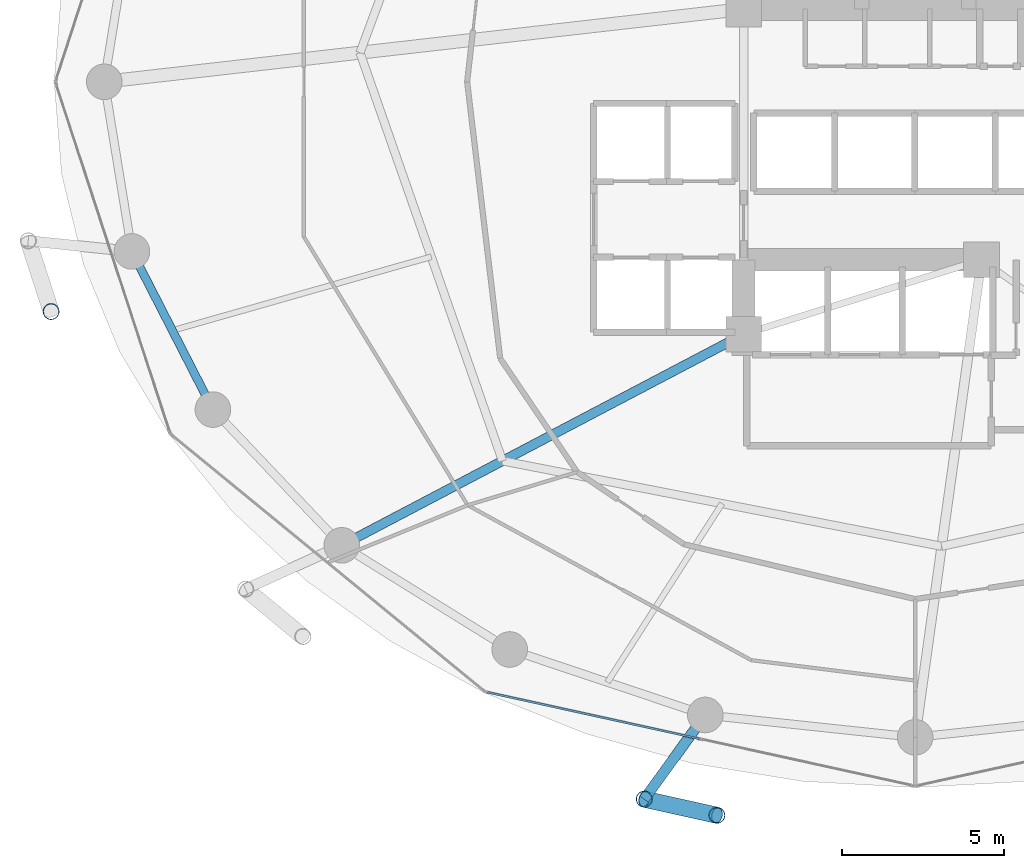
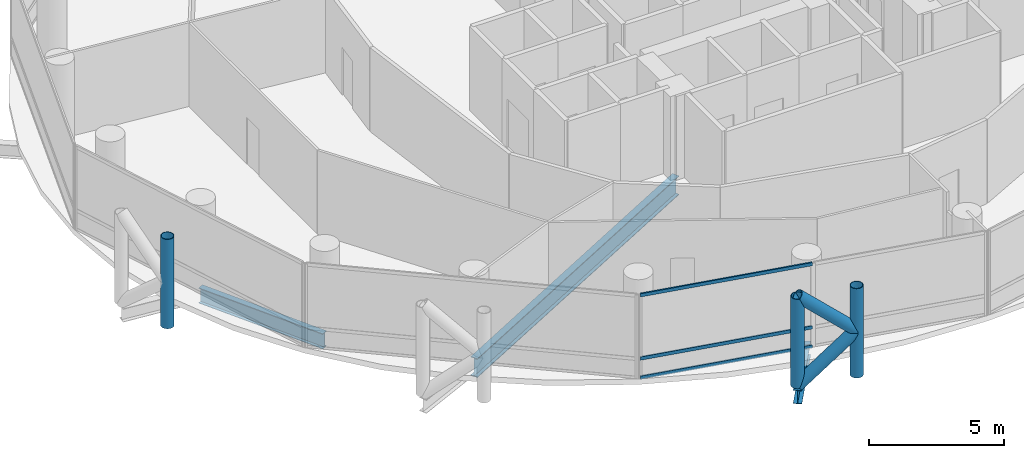
# One storey, part 3 of 25: 8 members, 3 beams, 1 element without a shape of its own.
"""IFC4 building model written with IfcOpenShell, lengths in metres."""

from ifc_helpers import new_model, si_unit, direction, frame, origin, origin_2d, place, context, subcontext, project, spatial, hollow_rectangle, hollow_circle, i_section, extrude, material, layer, layer_set, material_profile, profile_set, type_object, element, aggregate, save


model = new_model("IFC4")

# Units and contexts
model_context = context("Model", 3, precision=1e-05, world=origin(), true_north=direction((0.0, 1.0)))
body_context = subcontext(model_context, "Body", "Model", "MODEL_VIEW")
ifc_project = project(units=[si_unit("LENGTHUNIT", "METRE"), si_unit("AREAUNIT", "SQUARE_METRE"), si_unit("VOLUMEUNIT", "CUBIC_METRE"), si_unit("PLANEANGLEUNIT", "RADIAN"), si_unit("MASSUNIT", "GRAM", prefix="KILO")], contexts=[model_context])

# Site, building, storey
site_placement = place(None, origin())
site = spatial("IfcSite", under=ifc_project, at=site_placement, CompositionType="ELEMENT")
building_placement = place(site_placement, origin())
building = spatial("IfcBuilding", under=site, at=building_placement, Name="Nuhasar Tower", CompositionType="ELEMENT")
storey_placement = place(building_placement, frame((0.0, 0.0, 65.550048828125)))
storey = spatial("IfcBuildingStorey", under=building, at=storey_placement, Name="L15", CompositionType="ELEMENT", Elevation=65.550048828125)

# Beams
ifc_material_1 = material(Name="Steel S355", Category="steel")
ifc_material_profile_1 = material_profile(ifc_material_1, i_section(OverallWidth=0.2919921875, OverallDepth=0.85888671875, WebThickness=0.01708984375, FlangeThickness=0.031005859375, at=origin_2d()), Name="W33X169")
ifc_profile_set_1 = profile_set([ifc_material_profile_1], Name="Steel S355")
beam_type_1 = type_object("IfcBeamType", Name="BM-POD-W33X169", PredefinedType="BEAM", material=ifc_profile_set_1)
beam_1_placement = place(storey_placement, frame((33.699951171875, 19.0, -0.679931640625), z_axis=(-0.885330348705, -0.464962550816, 0.0), x_axis=(0.464962550816, -0.885330348705, 0.0)))
element("IfcBeam", 1, at=beam_1_placement, inside=storey, type_object=beam_type_1, Name="L15 Radial Floor Girder 01", PredefinedType="BEAM", context=body_context, shape_type="SweptSolid", body=[
    extrude(i_section(OverallWidth=0.2919921875, OverallDepth=0.85888671875, WebThickness=0.01708984375, FlangeThickness=0.031005859375, at=origin_2d()), origin(), (0.0, 0.0, 1.0), 14.0205078125),
])
ifc_material_profile_2 = material_profile(ifc_material_1, i_section(OverallWidth=0.256103515625, OverallDepth=0.693115234375, WebThickness=0.014404296875, FlangeThickness=0.023681640625, at=origin_2d()), Name="W27X114")
ifc_profile_set_2 = profile_set([ifc_material_profile_2], Name="Steel S355")
beam_type_2 = type_object("IfcBeamType", Name="BM-RING-W27X114", PredefinedType="SPANDREL", material=ifc_profile_set_2)
beam_2_placement = place(storey_placement, frame((14.803955078125, 21.55908203125, -0.59716796875), z_axis=(0.455930023905, -0.890015625314, 0.0), x_axis=(0.890015625314, 0.455930023905, 0.0)))
element("IfcBeam", 2, at=beam_2_placement, inside=storey, type_object=beam_type_2, Name="L15 Perimeter Ring Spandrel 14", PredefinedType="SPANDREL", context=body_context, shape_type="SweptSolid", body=[
    extrude(i_section(OverallWidth=0.256103515625, OverallDepth=0.693115234375, WebThickness=0.014404296875, FlangeThickness=0.023681640625, at=origin_2d()), origin(), (0.0, 0.0, 1.0), 5.487548828125),
])
ifc_material_profile_3 = material_profile(ifc_material_1, i_section(OverallWidth=0.323974609375, OverallDepth=0.611083984375, WebThickness=0.0126953125, FlangeThickness=0.01904296875, at=origin_2d()), Name="W24X104")
ifc_profile_set_3 = profile_set([ifc_material_profile_3], Name="Steel S355")
beam_type_3 = type_object("IfcBeamType", Name="BM-TIE-W24X104", PredefinedType="BEAM", material=ifc_profile_set_3)
beam_3_placement = place(storey_placement, frame((32.51708984375, 7.239990234375, -0.554931640625), z_axis=(-0.587403316448, -0.809294349311, 0.0), x_axis=(0.809294349311, -0.587403316448, 0.0)))
element("IfcBeam", 3, at=beam_3_placement, inside=storey, type_object=beam_type_3, Name="L15 Exoskeleton Node Tie Beam 09", PredefinedType="BEAM", context=body_context, shape_type="SweptSolid", body=[
    extrude(i_section(OverallWidth=0.323974609375, OverallDepth=0.611083984375, WebThickness=0.0126953125, FlangeThickness=0.01904296875, at=origin_2d()), origin(), (0.0, 0.0, 1.0), 3.212890625),
])

# Curtain wall, members
ifc_material_2 = material(Name="Aluminium 6063-T6", Category="aluminium")
ifc_layer = layer(ifc_material_2, 0.199951171875)
ifc_layer_set = layer_set([ifc_layer], Name="Aluminium 6063-T6")
curtain_wall_type = type_object("IfcCurtainWallType", Name="CW-Z1-OFF", PredefinedType="NOTDEFINED", material=ifc_layer_set)
curtain_wall_placement = place(storey_placement, origin())
curtain_wall = element("IfcCurtainWall", 4, at=curtain_wall_placement, inside=storey, type_object=curtain_wall_type, Name="L15 Unitised Curtain Wall 09", PredefinedType="NOTDEFINED")
ifc_material_profile_4 = material_profile(ifc_material_2, hollow_rectangle(XDim=0.06494140625, YDim=0.14990234375, WallThickness=0.00439453125, at=origin_2d()), Name="CWT-2")
ifc_profile_set_4 = profile_set([ifc_material_profile_4], Name="Aluminium 6063-T6")
member_type_1 = type_object("IfcMemberType", Name="CW-TRN-S2", PredefinedType="USERDEFINED", material=ifc_profile_set_4)
member_1_placement = place(storey_placement, frame((25.783447265625, 7.941162109375, 0.032470703125), z_axis=(0.976741923778, -0.214418316228, 0.0), x_axis=(0.214418316228, 0.976741923778, 0.0)))
member_1 = element("IfcMember", 5, at=member_1_placement, type_object=member_type_1, Name="CW-Z1 transom 1.1", ObjectType="TRANSOM", PredefinedType="USERDEFINED", context=body_context, shape_type="SweptSolid", body=[
    extrude(hollow_rectangle(XDim=0.06494140625, YDim=0.14990234375, WallThickness=0.00439453125, at=origin_2d()), origin(), (0.0, 0.0, 1.0), 6.70068359375),
])
member_2_placement = place(storey_placement, frame((25.783447265625, 7.941162109375, 0.89990234375), z_axis=(0.976741923778, -0.214418316228, 0.0), x_axis=(0.214418316228, 0.976741923778, 0.0)))
member_2 = element("IfcMember", 6, at=member_2_placement, type_object=member_type_1, Name="CW-Z1 transom 1.2", ObjectType="TRANSOM", PredefinedType="USERDEFINED", context=body_context, shape_type="SweptSolid", body=[
    extrude(hollow_rectangle(XDim=0.06494140625, YDim=0.14990234375, WallThickness=0.00439453125, at=origin_2d()), origin(), (0.0, 0.0, 1.0), 6.70068359375),
])
member_3_placement = place(storey_placement, frame((25.783447265625, 7.941162109375, 3.767333984375), z_axis=(0.976741923778, -0.214418316228, 0.0), x_axis=(0.214418316228, 0.976741923778, 0.0)))
member_3 = element("IfcMember", 7, at=member_3_placement, type_object=member_type_1, Name="CW-Z1 transom 1.3", ObjectType="TRANSOM", PredefinedType="USERDEFINED", context=body_context, shape_type="SweptSolid", body=[
    extrude(hollow_rectangle(XDim=0.06494140625, YDim=0.14990234375, WallThickness=0.00439453125, at=origin_2d()), origin(), (0.0, 0.0, 1.0), 6.70068359375),
])
aggregate(curtain_wall, [member_1, member_2, member_3])

# Members
ifc_material_3 = material(Name="Steel S460", Category="steel")
ifc_material_profile_5 = material_profile(ifc_material_3, hollow_circle(Radius=0.25390625, WallThickness=0.025390625, at=origin_2d()), Name="HSS508X25.4")
ifc_profile_set_5 = profile_set([ifc_material_profile_5], Name="Steel S460")
member_type_2 = type_object("IfcMemberType", Name="EXO-BRONZE-508", PredefinedType="BRACE", material=ifc_profile_set_5)
for number, where, z_axis, x_axis, name in (
    (8, (12.30810546875, 19.700927734375, 0.0), (0.0, 0.0, 1.0), (1.0, 0.0, 0.0), "L15 Exoskeleton Chord Column EC-07B"),
    (9, (30.6298828125, 4.639892578125, 0.0), (0.0, 0.0, 1.0), (1.0, 0.0, 0.0), "L15 Exoskeleton Chord Column EC-09A"),
    (10, (32.8759765625, 4.14111328125, 0.0), (0.0, 0.0, 1.0), (1.0, 0.0, 0.0), "L15 Exoskeleton Chord Column EC-09B"),
):
    element("IfcMember", number, at=place(storey_placement, frame(where, z_axis=z_axis, x_axis=x_axis)), inside=storey, type_object=member_type_2, Name=name, PredefinedType="BRACE", context=body_context, shape_type="SweptSolid", body=[
        extrude(hollow_circle(Radius=0.25390625, WallThickness=0.025390625, at=origin_2d()), origin(), (0.0, 0.0, 1.0), 4.050048828125),
    ])
member_4_placement = place(storey_placement, frame((30.6298828125, 4.639892578125, 0.0), z_axis=(0.732830973624, -0.162736269469, 0.66066305383), x_axis=(0.216784396973, 0.976219506683, 0.0)))
element("IfcMember", 11, at=member_4_placement, inside=storey, type_object=member_type_2, Name="L15 Bronze Diagrid Brace W1-09", PredefinedType="BRACE", context=body_context, shape_type="SweptSolid", body=[
    extrude(hollow_circle(Radius=0.25390625, WallThickness=0.025390625, at=origin_2d()), origin(), (0.0, 0.0, 1.0), 3.06494140625),
])
member_5_placement = place(storey_placement, frame((32.8759765625, 4.14111328125, 2.02490234375), z_axis=(-0.732792408767, 0.162727705556, 0.660707938122), x_axis=(-0.216784396973, -0.976219506683, 0.0)))
element("IfcMember", 12, at=member_5_placement, inside=storey, type_object=member_type_2, Name="L15 Bronze Diagrid Brace W2-09", PredefinedType="BRACE", context=body_context, shape_type="SweptSolid", body=[
    extrude(hollow_circle(Radius=0.25390625, WallThickness=0.025390625, at=origin_2d()), origin(), (0.0, 0.0, 1.0), 3.065185546875),
])

save(model, "model.ifc")
